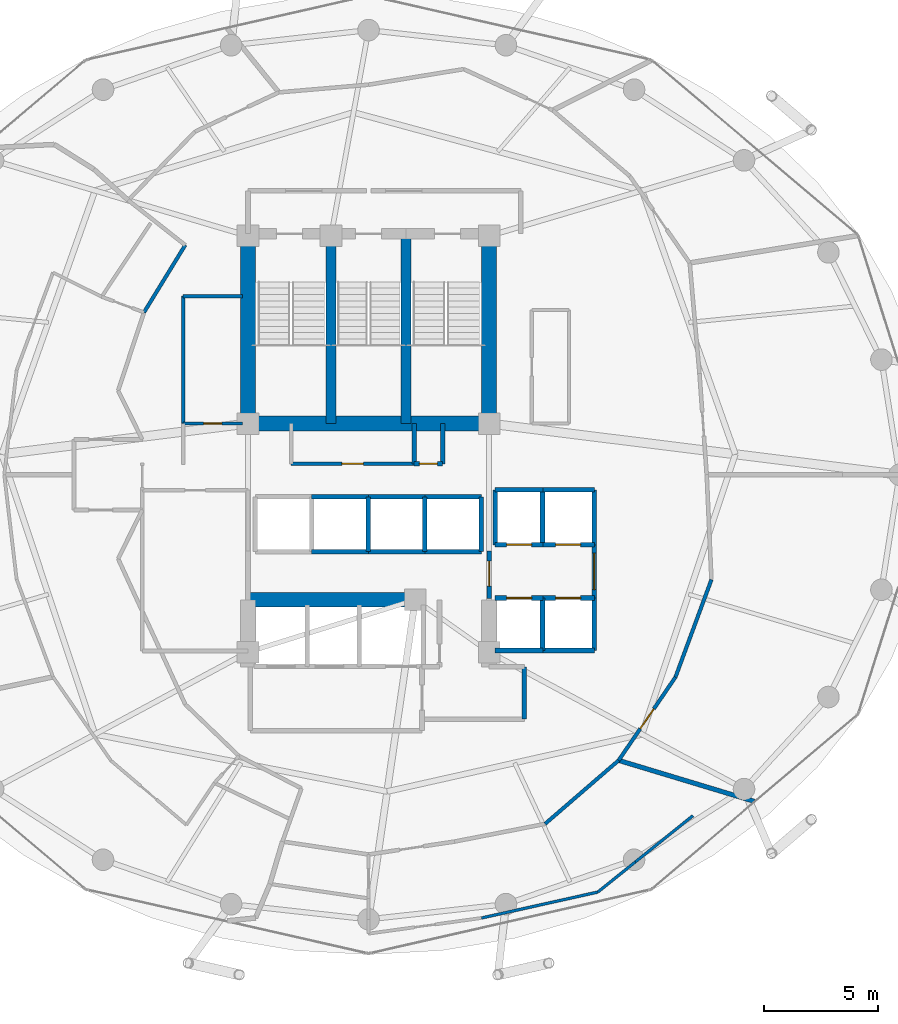
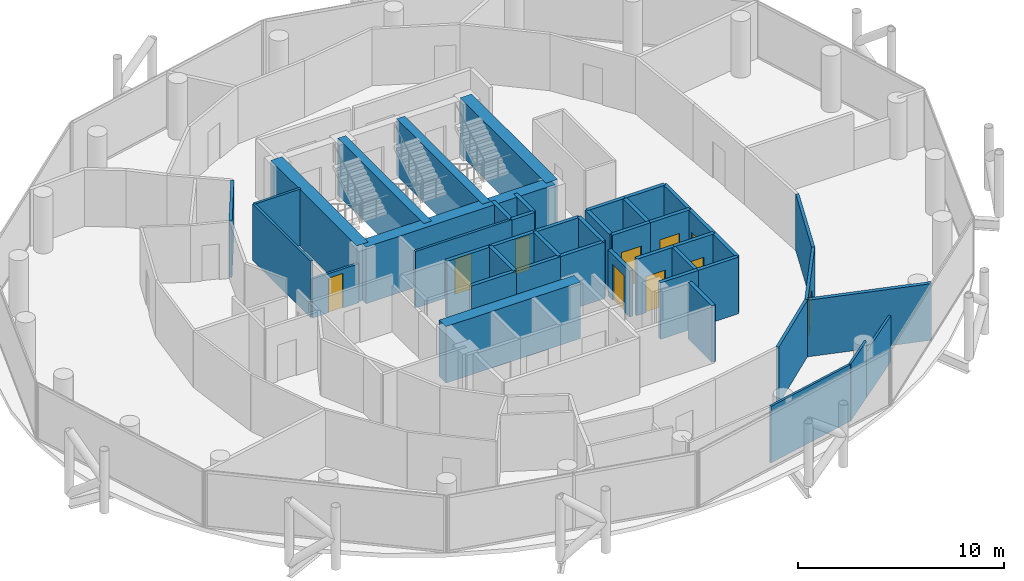
# One storey, part 23 of 26: 46 walls, 10 doors, 10 openings.
"""IFC4 building model written with IfcOpenShell, lengths in metres."""

from ifc_helpers import new_model, si_unit, direction, frame, frame_2d, origin, place, context, subcontext, project, spatial, rectangle, extrude, material, layer, layer_set, type_object, element, fill, save


model = new_model("IFC4")

# Units and contexts
model_context = context("Model", 3, precision=1e-05, world=origin(), true_north=direction((0.0, 1.0)))
body_context = subcontext(model_context, "Body", "Model", "MODEL_VIEW")
ifc_project = project(units=[si_unit("LENGTHUNIT", "METRE"), si_unit("AREAUNIT", "SQUARE_METRE"), si_unit("VOLUMEUNIT", "CUBIC_METRE"), si_unit("PLANEANGLEUNIT", "RADIAN"), si_unit("MASSUNIT", "GRAM", prefix="KILO")], contexts=[model_context])

# Site, building, storey
site_placement = place(None, origin())
site = spatial("IfcSite", under=ifc_project, at=site_placement, CompositionType="ELEMENT")
building_placement = place(site_placement, origin())
building = spatial("IfcBuilding", under=site, at=building_placement, Name="Nuhasar Tower", CompositionType="ELEMENT")
storey_placement = place(building_placement, frame((0.0, 0.0, 192.25)))
storey = spatial("IfcBuildingStorey", under=building, at=storey_placement, Name="L47", CompositionType="ELEMENT", Elevation=192.25)

# Walls
ifc_material_1 = material(Name="Concrete C50/60", Category="concrete")
ifc_layer_1 = layer(ifc_material_1, 0.449951171875)
ifc_layer_set_1 = layer_set([ifc_layer_1], Name="Concrete C50/60")
wall_type_1 = type_object("IfcWallType", Name="WL-CORE-450", PredefinedType="SHEAR", material=ifc_layer_set_1)
for number, where, z_axis, x_axis, name in (
    (1, (37.35009765625, 29.050048828125, 0.0), (0.0, 0.0, 1.0), (0.0, 1.0, 0.0), "L47 Stairwell Shear Wall ST01-E"),
    (2, (40.64990234375, 29.050048828125, 0.0), (0.0, 0.0, 1.0), (0.0, 1.0, 0.0), "L47 Stairwell Shear Wall ST03-E"),
):
    element("IfcWall", number, at=place(storey_placement, frame(where, z_axis=z_axis, x_axis=x_axis)), inside=storey, type_object=wall_type_1, Name=name, PredefinedType="SHEAR", context=body_context, shape_type="SweptSolid", body=[
        extrude(rectangle(XDim=8.349853515625, YDim=0.449951171875, at=frame_2d((4.1748046875, 0.0))), origin(), (0.0, 0.0, 1.0), 3.35009765625),
    ])
ifc_material_2 = material(Name="Concrete C65/80", Category="concrete")
ifc_layer_2 = layer(ifc_material_2, 0.64990234375)
ifc_layer_set_2 = layer_set([ifc_layer_2], Name="Concrete C65/80")
wall_type_2 = type_object("IfcWallType", Name="WL-CORE-650", PredefinedType="SHEAR", material=ifc_layer_set_2)
for number, where, z_axis, x_axis, name in (
    (3, (33.699951171875, 29.050048828125, 0.0), (0.0, 0.0, 1.0), (0.0, 1.0, 0.0), "L47 Core Shear Wall CW-NW CW-650"),
    (4, (44.300048828125, 29.050048828125, 0.0), (0.0, 0.0, 1.0), (0.0, 1.0, 0.0), "L47 Core Shear Wall CW-NE CW-650"),
):
    element("IfcWall", number, at=place(storey_placement, frame(where, z_axis=z_axis, x_axis=x_axis)), inside=storey, type_object=wall_type_2, Name=name, PredefinedType="SHEAR", context=body_context, shape_type="SweptSolid", body=[
        extrude(rectangle(XDim=8.349853515625, YDim=0.64990234375, at=frame_2d((4.1748046875, 0.0))), origin(), (0.0, 0.0, 1.0), 3.35009765625),
    ])
wall_1_placement = place(storey_placement, frame((33.699951171875, 29.050048828125, 0.0), z_axis=(0.0, 0.0, 1.0), x_axis=(1.0, 0.0, 0.0)))
element("IfcWall", 5, at=wall_1_placement, inside=storey, type_object=wall_type_2, Name="L47 Core Shear Wall CW-N1 CW-650", PredefinedType="SHEAR", context=body_context, shape_type="SweptSolid", body=[
    extrude(rectangle(XDim=10.60009765625, YDim=0.64990234375, at=frame_2d((5.300048828125, 0.0))), origin(), (0.0, 0.0, 1.0), 3.35009765625),
])
wall_2_placement = place(storey_placement, frame((33.699951171875, 21.300048828125, 0.0), z_axis=(0.0, 0.0, 1.0), x_axis=(1.0, 0.0, 0.0)))
element("IfcWall", 6, at=wall_2_placement, inside=storey, type_object=wall_type_2, Name="L47 Core Shear Wall CW-S1 CW-650", PredefinedType="SHEAR", context=body_context, shape_type="SweptSolid", body=[
    extrude(rectangle(XDim=7.550048828125, YDim=0.64990234375, at=frame_2d((3.77490234375, 0.0))), origin(), (0.0, 0.0, 1.0), 3.35009765625),
])
ifc_material_3 = material(Name="Gypsum Board", Category="gypsum")
ifc_layer_3 = layer(ifc_material_3, 0.159912109375)
ifc_layer_set_3 = layer_set([ifc_layer_3], Name="Gypsum Board")
wall_type_3 = type_object("IfcWallType", Name="WL-CORR-160", PredefinedType="PARTITIONING", material=ifc_layer_set_3)
wall_3_placement = place(storey_placement, frame((46.760986328125, 11.445068359375, 0.0), z_axis=(0.0, 0.0, 1.0), x_axis=(0.756921867837, 0.653505383291, 0.0)))
element("IfcWall", 7, at=wall_3_placement, inside=storey, type_object=wall_type_3, Name="L47 Interior Partition CORR-40", PredefinedType="PARTITIONING", context=body_context, shape_type="SweptSolid", body=[
    extrude(rectangle(XDim=4.275390625, YDim=0.159912109375, at=frame_2d((2.1376953125, 0.0))), origin(), (0.0, 0.0, 1.0), 3.35009765625),
])

# Wall, opening, door
wall_4_placement = place(storey_placement, frame((52.49609375, 17.89892578125, 0.0), z_axis=(0.0, 0.0, 1.0), x_axis=(-0.563895671103, -0.825846034144, 0.0)))
wall_4 = element("IfcWall", 8, at=wall_4_placement, inside=storey, type_object=wall_type_3, Name="L47 Interior Partition CORR-42", PredefinedType="PARTITIONING", context=body_context, shape_type="SweptSolid", body=[
    extrude(rectangle(XDim=4.431640625, YDim=0.159912109375, at=frame_2d((2.2158203125, 0.0))), origin(), (0.0, 0.0, 1.0), 3.35009765625),
])
opening_1_placement = place(wall_4_placement, frame((1.69091796875, 0.0, 0.0)))
opening_1 = element("IfcOpeningElement", 9, at=opening_1_placement, cuts=wall_4, Name="Opening DU-01", PredefinedType="OPENING", context=body_context, shape_type="SweptSolid", body=[
    extrude(rectangle(XDim=1.050048828125, YDim=2.14990234375, at=frame_2d((0.52490234375, 1.074951171875))), frame((0.0, 0.08984375, 0.0), z_axis=(0.0, -1.0, 0.0), x_axis=(1.0, 0.0, 0.0)), (0.0, 0.0, 1.0), 0.179931640625),
])
ifc_material_4 = material(Name="Timber Oak", Category="wood")
door_type_1 = type_object("IfcDoorType", Name="DR-SUITE-FD60-1050", OperationType="NOTDEFINED", PredefinedType="DOOR", material=ifc_material_4)
door_1_placement = place(opening_1_placement, origin())
door_1 = element("IfcDoor", 10, at=door_1_placement, inside=storey, type_object=door_type_1, Name="L47 Royal Sky Majlis Lounge Entrance Door", OperationType="SINGLE_SWING_RIGHT", OverallHeight=2.14990234375, OverallWidth=1.050048828125, PredefinedType="DOOR", context=body_context, shape_type="SweptSolid", body=[
    extrude(rectangle(XDim=1.050048828125, YDim=2.14990234375, at=frame_2d((0.52490234375, 1.074951171875))), frame((0.0, 0.02490234375, 0.0), z_axis=(0.0, -1.0, 0.0), x_axis=(1.0, 0.0, 0.0)), (0.0, 0.0, 1.0), 0.050048828125),
])
fill(opening_1, door_1)

# Walls
wall_5_placement = place(storey_placement, frame((52.49609375, 17.89892578125, 0.0), z_axis=(0.0, 0.0, 1.0), x_axis=(0.346222869932, 0.93815229272, 0.0)))
element("IfcWall", 11, at=wall_5_placement, inside=storey, type_object=wall_type_3, Name="L47 Interior Partition CORR-44", PredefinedType="PARTITIONING", context=body_context, shape_type="SweptSolid", body=[
    extrude(rectangle(XDim=4.568603515625, YDim=0.159912109375, at=frame_2d((2.2841796875, 0.0))), origin(), (0.0, 0.0, 1.0), 3.35009765625),
])
wall_6_placement = place(storey_placement, frame((30.93896484375, 36.89697265625, 0.0), z_axis=(0.0, 0.0, 1.0), x_axis=(-0.522486120877, -0.852647789823, 0.0)))
element("IfcWall", 12, at=wall_6_placement, inside=storey, type_object=wall_type_3, Name="L47 Interior Partition HWEST-CORE-N-18", PredefinedType="PARTITIONING", context=body_context, shape_type="SweptSolid", body=[
    extrude(rectangle(XDim=3.468017578125, YDim=0.159912109375, at=frame_2d((1.73388671875, 0.0))), origin(), (0.0, 0.0, 1.0), 3.35009765625),
])

# Wall, opening, door
ifc_material_5 = material(Name="Concrete C45/55", Category="concrete")
ifc_layer_4 = layer(ifc_material_5, 0.199951171875)
ifc_layer_set_4 = layer_set([ifc_layer_4], Name="Concrete C45/55")
wall_type_4 = type_object("IfcWallType", Name="WL-LOBBY-200", PredefinedType="SOLIDWALL", material=ifc_layer_set_4)
wall_7_placement = place(storey_placement, frame((48.929931640625, 21.3798828125, 0.0), z_axis=(0.0, 0.0, 1.0), x_axis=(0.0, 1.0, 0.0)))
wall_7 = element("IfcWall", 13, at=wall_7_placement, inside=storey, type_object=wall_type_4, Name="L47 Interior Partition LLBM-E", PredefinedType="SOLIDWALL", context=body_context, shape_type="SweptSolid", body=[
    extrude(rectangle(XDim=2.340087890625, YDim=0.199951171875, at=frame_2d((1.169921875, 0.0))), origin(), (0.0, 0.0, 1.0), 3.35009765625),
])
opening_2_placement = place(wall_7_placement, frame((0.3701171875, 0.0, 0.0)))
opening_2 = element("IfcOpeningElement", 14, at=opening_2_placement, cuts=wall_7, Name="Opening DC-01", PredefinedType="OPENING", context=body_context, shape_type="SweptSolid", body=[
    extrude(rectangle(XDim=1.60009765625, YDim=2.199951171875, at=frame_2d((0.800048828125, 1.10009765625))), frame((0.0, 0.10986328125, 0.0), z_axis=(0.0, -1.0, 0.0), x_axis=(1.0, 0.0, 0.0)), (0.0, 0.0, 1.0), 0.219970703125),
])
ifc_material_6 = material(Name="Steel S355", Category="steel")
door_type_2 = type_object("IfcDoorType", Name="DR-CORR-FD60-1600", OperationType="DOUBLE_DOOR_SINGLE_SWING", PredefinedType="DOOR", material=ifc_material_6)
door_2_placement = place(opening_2_placement, origin())
door_2 = element("IfcDoor", 15, at=door_2_placement, inside=storey, type_object=door_type_2, Name="L47 Mid-Rise Lift Lobby East Entry", OperationType="DOUBLE_DOOR_SINGLE_SWING", OverallHeight=2.199951171875, OverallWidth=1.60009765625, PredefinedType="DOOR", context=body_context, shape_type="SweptSolid", body=[
    extrude(rectangle(XDim=1.60009765625, YDim=2.199951171875, at=frame_2d((0.800048828125, 1.10009765625))), frame((0.0, 0.02490234375, 0.0), z_axis=(0.0, -1.0, 0.0), x_axis=(1.0, 0.0, 0.0)), (0.0, 0.0, 1.0), 0.050048828125),
])
fill(opening_2, door_2)

wall_8_placement = place(storey_placement, frame((44.300048828125, 21.35009765625, 0.0), z_axis=(0.0, 0.0, 1.0), x_axis=(0.0, 1.0, 0.0)))
wall_8 = element("IfcWall", 16, at=wall_8_placement, inside=storey, type_object=wall_type_4, Name="L47 Interior Partition LLBH-E", PredefinedType="SOLIDWALL", context=body_context, shape_type="SweptSolid", body=[
    extrude(rectangle(XDim=2.099853515625, YDim=0.199951171875, at=frame_2d((1.0498046875, 0.0))), origin(), (0.0, 0.0, 1.0), 2.735107421875),
])
opening_3_placement = place(wall_8_placement, frame((0.550048828125, 0.0, 0.0)))
opening_3 = element("IfcOpeningElement", 17, at=opening_3_placement, cuts=wall_8, Name="Opening DS-02", PredefinedType="OPENING", context=body_context, shape_type="SweptSolid", body=[
    extrude(rectangle(XDim=1.10009765625, YDim=2.14990234375, at=frame_2d((0.550048828125, 1.074951171875))), frame((0.0, 0.10986328125, 0.0), z_axis=(0.0, -1.0, 0.0), x_axis=(1.0, 0.0, 0.0)), (0.0, 0.0, 1.0), 0.219970703125),
])
door_type_3 = type_object("IfcDoorType", Name="DR-FFL-FD120-1100", OperationType="NOTDEFINED", PredefinedType="DOOR", material=ifc_material_6)
door_3_placement = place(opening_3_placement, origin())
door_3 = element("IfcDoor", 18, at=door_3_placement, inside=storey, type_object=door_type_3, Name="L47 High-Rise Lobby East Door", OperationType="SINGLE_SWING_RIGHT", OverallHeight=2.14990234375, OverallWidth=1.10009765625, PredefinedType="DOOR", context=body_context, shape_type="SweptSolid", body=[
    extrude(rectangle(XDim=1.10009765625, YDim=2.14990234375, at=frame_2d((0.550048828125, 1.074951171875))), frame((0.0, 0.02490234375, 0.0), z_axis=(0.0, -1.0, 0.0), x_axis=(1.0, 0.0, 0.0)), (0.0, 0.0, 1.0), 0.050048828125),
])
fill(opening_3, door_3)

# Walls
wall_9_placement = place(storey_placement, frame((45.85009765625, 16.050048828125, 0.0), z_axis=(0.0, 0.0, 1.0), x_axis=(0.0, 1.0, 0.0)))
element("IfcWall", 19, at=wall_9_placement, inside=storey, type_object=wall_type_4, Name="L47 Interior Partition SVLV-E", PredefinedType="SOLIDWALL", context=body_context, shape_type="SweptSolid", body=[
    extrude(rectangle(XDim=2.300048828125, YDim=0.199951171875, at=frame_2d((1.14990234375, 0.0))), origin(), (0.0, 0.0, 1.0), 3.35009765625),
])
ifc_layer_5 = layer(ifc_material_3, 0.125)
ifc_layer_set_5 = layer_set([ifc_layer_5], Name="Gypsum Board")
wall_type_5 = type_object("IfcWallType", Name="WL-PART-125", PredefinedType="PARTITIONING", material=ifc_layer_set_5)
wall_10_placement = place(storey_placement, frame((43.968994140625, 7.30810546875, 0.0), z_axis=(0.0, 0.0, 1.0), x_axis=(0.976029965956, 0.21763617704, 0.0)))
element("IfcWall", 20, at=wall_10_placement, inside=storey, type_object=wall_type_5, Name="L47 Interior Partition HSAL-01-38", PredefinedType="PARTITIONING", context=body_context, shape_type="SweptSolid", body=[
    extrude(rectangle(XDim=5.237548828125, YDim=0.125, at=frame_2d((2.61865234375, 0.0))), origin(), (0.0, 0.0, 1.0), 3.35009765625),
])
wall_11_placement = place(storey_placement, frame((49.0810546875, 8.447998046875, 0.0), z_axis=(0.0, 0.0, 1.0), x_axis=(0.779800892582, 0.626027609558, 0.0)))
element("IfcWall", 21, at=wall_11_placement, inside=storey, type_object=wall_type_5, Name="L47 Interior Partition HSAL-01-40", PredefinedType="PARTITIONING", context=body_context, shape_type="SweptSolid", body=[
    extrude(rectangle(XDim=2.12109375, YDim=0.125, at=frame_2d((1.060546875, 0.0))), origin(), (0.0, 0.0, 1.0), 3.35009765625),
])
wall_12_placement = place(storey_placement, frame((50.735107421875, 9.77587890625, 0.0), z_axis=(0.0, 0.0, 1.0), x_axis=(0.779788382675, 0.626043191997, 0.0)))
element("IfcWall", 22, at=wall_12_placement, inside=storey, type_object=wall_type_5, Name="L47 Interior Partition HSAL-01-40", PredefinedType="PARTITIONING", context=body_context, shape_type="SweptSolid", body=[
    extrude(rectangle(XDim=3.244140625, YDim=0.125, at=frame_2d((1.6220703125, 0.0))), origin(), (0.0, 0.0, 1.0), 2.72998046875),
])
ifc_layer_6 = layer(ifc_material_5, 0.199951171875)
ifc_layer_set_6 = layer_set([ifc_layer_6], Name="Concrete C45/55")
wall_type_6 = type_object("IfcWallType", Name="WL-SHAFT-200", PredefinedType="SOLIDWALL", material=ifc_layer_set_6)
for number, where, z_axis, x_axis, name in (
    (23, (41.0, 27.280029296875, 0.0), (0.0, 0.0, 1.0), (0.0, 1.0, 0.0), "L47 Interior Partition RSRN-W"),
    (24, (42.260009765625, 27.280029296875, 0.0), (0.0, 0.0, 1.0), (0.0, 1.0, 0.0), "L47 Interior Partition RSRN-E"),
):
    element("IfcWall", number, at=place(storey_placement, frame(where, z_axis=z_axis, x_axis=x_axis)), inside=storey, type_object=wall_type_6, Name=name, PredefinedType="SOLIDWALL", context=body_context, shape_type="SweptSolid", body=[
        extrude(rectangle(XDim=1.77001953125, YDim=0.199951171875, at=frame_2d((0.885009765625, 0.0))), origin(), (0.0, 0.0, 1.0), 3.35009765625),
    ])

# Wall, opening, door
wall_13_placement = place(storey_placement, frame((41.0, 27.280029296875, 0.0), z_axis=(0.0, 0.0, 1.0), x_axis=(1.0, 0.0, 0.0)))
wall_13 = element("IfcWall", 25, at=wall_13_placement, inside=storey, type_object=wall_type_6, Name="L47 Interior Partition RSRN-S", PredefinedType="SOLIDWALL", context=body_context, shape_type="SweptSolid", body=[
    extrude(rectangle(XDim=1.260009765625, YDim=0.199951171875, at=frame_2d((0.6298828125, 0.0))), origin(), (0.0, 0.0, 1.0), 3.35009765625),
])
opening_4_placement = place(wall_13_placement, frame((0.22998046875, 0.0, 0.0)))
opening_4 = element("IfcOpeningElement", 26, at=opening_4_placement, cuts=wall_13, Name="Opening DM-01", PredefinedType="OPENING", context=body_context, shape_type="SweptSolid", body=[
    extrude(rectangle(XDim=0.800048828125, YDim=2.050048828125, at=frame_2d((0.39990234375, 1.02490234375))), frame((0.0, 0.10986328125, 0.0), z_axis=(0.0, -1.0, 0.0), x_axis=(1.0, 0.0, 0.0)), (0.0, 0.0, 1.0), 0.219970703125),
])
door_type_4 = type_object("IfcDoorType", Name="DR-RISER-FD60-800", OperationType="NOTDEFINED", PredefinedType="DOOR", material=ifc_material_6)
door_4_placement = place(opening_4_placement, origin())
door_4 = element("IfcDoor", 27, at=door_4_placement, inside=storey, type_object=door_type_4, Name="L47 North Smoke Riser Door", OperationType="SINGLE_SWING_RIGHT", OverallHeight=2.050048828125, OverallWidth=0.800048828125, PredefinedType="DOOR", context=body_context, shape_type="SweptSolid", body=[
    extrude(rectangle(XDim=0.800048828125, YDim=2.050048828125, at=frame_2d((0.39990234375, 1.02490234375))), frame((0.0, 0.02490234375, 0.0), z_axis=(0.0, -1.0, 0.0), x_axis=(1.0, 0.0, 0.0)), (0.0, 0.0, 1.0), 0.050048828125),
])
fill(opening_4, door_4)

wall_14_placement = place(storey_placement, frame((44.570068359375, 23.719970703125, 0.0), z_axis=(0.0, 0.0, 1.0), x_axis=(1.0, 0.0, 0.0)))
wall_14 = element("IfcWall", 28, at=wall_14_placement, inside=storey, type_object=wall_type_6, Name="L47 Interior Partition SHF-PL-M01-S", PredefinedType="SOLIDWALL", context=body_context, shape_type="SweptSolid", body=[
    extrude(rectangle(XDim=2.10986328125, YDim=0.199951171875, at=frame_2d((1.054931640625, 0.0))), origin(), (0.0, 0.0, 1.0), 3.35009765625),
])
opening_5_placement = place(wall_14_placement, frame((0.5048828125, 0.0, 0.0)))
opening_5 = element("IfcOpeningElement", 29, at=opening_5_placement, cuts=wall_14, Name="Opening LD-M01", PredefinedType="OPENING", context=body_context, shape_type="SweptSolid", body=[
    extrude(rectangle(XDim=1.10009765625, YDim=2.14990234375, at=frame_2d((0.550048828125, 1.074951171875))), frame((0.0, 0.10986328125, 0.0), z_axis=(0.0, -1.0, 0.0), x_axis=(1.0, 0.0, 0.0)), (0.0, 0.0, 1.0), 0.219970703125),
])
ifc_material_7 = material(Name="Stainless Steel 316L", Category="steel")
door_type_5 = type_object("IfcDoorType", Name="LD-PAX-1100", OperationType="DOUBLE_DOOR_SLIDING", PredefinedType="DOOR", material=ifc_material_7)
door_5_placement = place(opening_5_placement, origin())
door_5 = element("IfcDoor", 30, at=door_5_placement, inside=storey, type_object=door_type_5, Name="L47 Lift Landing Door PL-M01", OperationType="DOUBLE_DOOR_SLIDING", OverallHeight=2.14990234375, OverallWidth=1.10009765625, PredefinedType="DOOR", context=body_context, shape_type="SweptSolid", body=[
    extrude(rectangle(XDim=1.10009765625, YDim=2.14990234375, at=frame_2d((0.550048828125, 1.074951171875))), frame((0.0, 0.02490234375, 0.0), z_axis=(0.0, -1.0, 0.0), x_axis=(1.0, 0.0, 0.0)), (0.0, 0.0, 1.0), 0.050048828125),
])
fill(opening_5, door_5)

# Walls
wall_15_placement = place(storey_placement, frame((44.570068359375, 26.1298828125, 0.0), z_axis=(0.0, 0.0, 1.0), x_axis=(1.0, 0.0, 0.0)))
element("IfcWall", 31, at=wall_15_placement, inside=storey, type_object=wall_type_6, Name="L47 Interior Partition SHF-PL-M01-N", PredefinedType="SOLIDWALL", context=body_context, shape_type="SweptSolid", body=[
    extrude(rectangle(XDim=2.10986328125, YDim=0.199951171875, at=frame_2d((1.054931640625, 0.0))), origin(), (0.0, 0.0, 1.0), 3.35009765625),
])
for number, where, z_axis, x_axis, name in (
    (32, (44.570068359375, 23.719970703125, 0.0), (0.0, 0.0, 1.0), (0.0, 1.0, 0.0), "L47 Interior Partition SHF-PL-M01-W"),
    (33, (46.64990234375, 23.719970703125, 0.0), (0.0, 0.0, 1.0), (0.0, 1.0, 0.0), "L47 Interior Partition SHF-PL-M01-E"),
):
    element("IfcWall", number, at=place(storey_placement, frame(where, z_axis=z_axis, x_axis=x_axis)), inside=storey, type_object=wall_type_6, Name=name, PredefinedType="SOLIDWALL", context=body_context, shape_type="SweptSolid", body=[
        extrude(rectangle(XDim=2.409912109375, YDim=0.199951171875, at=frame_2d((1.205078125, 0.0))), origin(), (0.0, 0.0, 1.0), 3.35009765625),
    ])

# Wall, opening, door
wall_16_placement = place(storey_placement, frame((46.6201171875, 23.719970703125, 0.0), z_axis=(0.0, 0.0, 1.0), x_axis=(1.0, 0.0, 0.0)))
wall_16 = element("IfcWall", 34, at=wall_16_placement, inside=storey, type_object=wall_type_6, Name="L47 Interior Partition SHF-PL-M02-S", PredefinedType="SOLIDWALL", context=body_context, shape_type="SweptSolid", body=[
    extrude(rectangle(XDim=2.309814453125, YDim=0.199951171875, at=frame_2d((1.15478515625, 0.0))), origin(), (0.0, 0.0, 1.0), 3.35009765625),
])
opening_6_placement = place(wall_16_placement, frame((0.60498046875, 0.0, 0.0)))
opening_6 = element("IfcOpeningElement", 35, at=opening_6_placement, cuts=wall_16, Name="Opening LD-M02", PredefinedType="OPENING", context=body_context, shape_type="SweptSolid", body=[
    extrude(rectangle(XDim=1.10009765625, YDim=2.14990234375, at=frame_2d((0.550048828125, 1.074951171875))), frame((0.0, 0.10986328125, 0.0), z_axis=(0.0, -1.0, 0.0), x_axis=(1.0, 0.0, 0.0)), (0.0, 0.0, 1.0), 0.219970703125),
])
door_6_placement = place(opening_6_placement, origin())
door_6 = element("IfcDoor", 36, at=door_6_placement, inside=storey, type_object=door_type_5, Name="L47 Lift Landing Door PL-M02", OperationType="DOUBLE_DOOR_SLIDING", OverallHeight=2.14990234375, OverallWidth=1.10009765625, PredefinedType="DOOR", context=body_context, shape_type="SweptSolid", body=[
    extrude(rectangle(XDim=1.10009765625, YDim=2.14990234375, at=frame_2d((0.550048828125, 1.074951171875))), frame((0.0, 0.02490234375, 0.0), z_axis=(0.0, -1.0, 0.0), x_axis=(1.0, 0.0, 0.0)), (0.0, 0.0, 1.0), 0.050048828125),
])
fill(opening_6, door_6)

# Walls
wall_17_placement = place(storey_placement, frame((46.6201171875, 26.1298828125, 0.0), z_axis=(0.0, 0.0, 1.0), x_axis=(1.0, 0.0, 0.0)))
element("IfcWall", 37, at=wall_17_placement, inside=storey, type_object=wall_type_6, Name="L47 Interior Partition SHF-PL-M02-N", PredefinedType="SOLIDWALL", context=body_context, shape_type="SweptSolid", body=[
    extrude(rectangle(XDim=2.309814453125, YDim=0.199951171875, at=frame_2d((1.15478515625, 0.0))), origin(), (0.0, 0.0, 1.0), 3.35009765625),
])
wall_18_placement = place(storey_placement, frame((48.929931640625, 23.719970703125, 0.0), z_axis=(0.0, 0.0, 1.0), x_axis=(0.0, 1.0, 0.0)))
element("IfcWall", 38, at=wall_18_placement, inside=storey, type_object=wall_type_6, Name="L47 Interior Partition SHF-PL-M02-E", PredefinedType="SOLIDWALL", context=body_context, shape_type="SweptSolid", body=[
    extrude(rectangle(XDim=2.409912109375, YDim=0.199951171875, at=frame_2d((1.205078125, 0.0))), origin(), (0.0, 0.0, 1.0), 3.35009765625),
])
wall_19_placement = place(storey_placement, frame((44.570068359375, 19.070068359375, 0.0), z_axis=(0.0, 0.0, 1.0), x_axis=(1.0, 0.0, 0.0)))
element("IfcWall", 39, at=wall_19_placement, inside=storey, type_object=wall_type_6, Name="L47 Interior Partition SHF-PL-M03-S", PredefinedType="SOLIDWALL", context=body_context, shape_type="SweptSolid", body=[
    extrude(rectangle(XDim=2.10986328125, YDim=0.199951171875, at=frame_2d((1.054931640625, 0.0))), origin(), (0.0, 0.0, 1.0), 3.35009765625),
])

# Wall, opening, door
wall_20_placement = place(storey_placement, frame((44.570068359375, 21.3798828125, 0.0), z_axis=(0.0, 0.0, 1.0), x_axis=(1.0, 0.0, 0.0)))
wall_20 = element("IfcWall", 40, at=wall_20_placement, inside=storey, type_object=wall_type_6, Name="L47 Interior Partition SHF-PL-M03-N", PredefinedType="SOLIDWALL", context=body_context, shape_type="SweptSolid", body=[
    extrude(rectangle(XDim=2.10986328125, YDim=0.199951171875, at=frame_2d((1.054931640625, 0.0))), origin(), (0.0, 0.0, 1.0), 3.35009765625),
])
opening_7_placement = place(wall_20_placement, frame((0.5048828125, 0.0, 0.0)))
opening_7 = element("IfcOpeningElement", 41, at=opening_7_placement, cuts=wall_20, Name="Opening LD-M03", PredefinedType="OPENING", context=body_context, shape_type="SweptSolid", body=[
    extrude(rectangle(XDim=1.10009765625, YDim=2.14990234375, at=frame_2d((0.550048828125, 1.074951171875))), frame((0.0, 0.10986328125, 0.0), z_axis=(0.0, -1.0, 0.0), x_axis=(1.0, 0.0, 0.0)), (0.0, 0.0, 1.0), 0.219970703125),
])
door_7_placement = place(opening_7_placement, origin())
door_7 = element("IfcDoor", 42, at=door_7_placement, inside=storey, type_object=door_type_5, Name="L47 Lift Landing Door PL-M03", OperationType="DOUBLE_DOOR_SLIDING", OverallHeight=2.14990234375, OverallWidth=1.10009765625, PredefinedType="DOOR", context=body_context, shape_type="SweptSolid", body=[
    extrude(rectangle(XDim=1.10009765625, YDim=2.14990234375, at=frame_2d((0.550048828125, 1.074951171875))), frame((0.0, 0.02490234375, 0.0), z_axis=(0.0, -1.0, 0.0), x_axis=(1.0, 0.0, 0.0)), (0.0, 0.0, 1.0), 0.050048828125),
])
fill(opening_7, door_7)

# Walls
for number, where, z_axis, x_axis, name in (
    (43, (46.64990234375, 19.070068359375, 0.0), (0.0, 0.0, 1.0), (0.0, 1.0, 0.0), "L47 Interior Partition SHF-PL-M03-E"),
    (44, (46.6201171875, 19.070068359375, 0.0), (0.0, 0.0, 1.0), (1.0, 0.0, 0.0), "L47 Interior Partition SHF-PL-M04-S"),
):
    element("IfcWall", number, at=place(storey_placement, frame(where, z_axis=z_axis, x_axis=x_axis)), inside=storey, type_object=wall_type_6, Name=name, PredefinedType="SOLIDWALL", context=body_context, shape_type="SweptSolid", body=[
        extrude(rectangle(XDim=2.309814453125, YDim=0.199951171875, at=frame_2d((1.15478515625, 0.0))), origin(), (0.0, 0.0, 1.0), 3.35009765625),
    ])

# Wall, opening, door
wall_21_placement = place(storey_placement, frame((46.6201171875, 21.3798828125, 0.0), z_axis=(0.0, 0.0, 1.0), x_axis=(1.0, 0.0, 0.0)))
wall_21 = element("IfcWall", 45, at=wall_21_placement, inside=storey, type_object=wall_type_6, Name="L47 Interior Partition SHF-PL-M04-N", PredefinedType="SOLIDWALL", context=body_context, shape_type="SweptSolid", body=[
    extrude(rectangle(XDim=2.309814453125, YDim=0.199951171875, at=frame_2d((1.15478515625, 0.0))), origin(), (0.0, 0.0, 1.0), 3.35009765625),
])
opening_8_placement = place(wall_21_placement, frame((0.60498046875, 0.0, 0.0)))
opening_8 = element("IfcOpeningElement", 46, at=opening_8_placement, cuts=wall_21, Name="Opening LD-M04", PredefinedType="OPENING", context=body_context, shape_type="SweptSolid", body=[
    extrude(rectangle(XDim=1.10009765625, YDim=2.14990234375, at=frame_2d((0.550048828125, 1.074951171875))), frame((0.0, 0.10986328125, 0.0), z_axis=(0.0, -1.0, 0.0), x_axis=(1.0, 0.0, 0.0)), (0.0, 0.0, 1.0), 0.219970703125),
])
door_8_placement = place(opening_8_placement, origin())
door_8 = element("IfcDoor", 47, at=door_8_placement, inside=storey, type_object=door_type_5, Name="L47 Lift Landing Door PL-M04", OperationType="DOUBLE_DOOR_SLIDING", OverallHeight=2.14990234375, OverallWidth=1.10009765625, PredefinedType="DOOR", context=body_context, shape_type="SweptSolid", body=[
    extrude(rectangle(XDim=1.10009765625, YDim=2.14990234375, at=frame_2d((0.550048828125, 1.074951171875))), frame((0.0, 0.02490234375, 0.0), z_axis=(0.0, -1.0, 0.0), x_axis=(1.0, 0.0, 0.0)), (0.0, 0.0, 1.0), 0.050048828125),
])
fill(opening_8, door_8)

# Walls
wall_22_placement = place(storey_placement, frame((48.929931640625, 19.070068359375, 0.0), z_axis=(0.0, 0.0, 1.0), x_axis=(0.0, 1.0, 0.0)))
element("IfcWall", 48, at=wall_22_placement, inside=storey, type_object=wall_type_6, Name="L47 Interior Partition SHF-PL-M04-E", PredefinedType="SOLIDWALL", context=body_context, shape_type="SweptSolid", body=[
    extrude(rectangle(XDim=2.309814453125, YDim=0.199951171875, at=frame_2d((1.15478515625, 0.0))), origin(), (0.0, 0.0, 1.0), 3.35009765625),
])
for number, where, z_axis, x_axis, name in (
    (49, (36.5, 23.419921875, 0.0), (0.0, 0.0, 1.0), (1.0, 0.0, 0.0), "L47 Interior Partition SHF-PL-H02-S"),
    (50, (36.5, 25.830078125, 0.0), (0.0, 0.0, 1.0), (1.0, 0.0, 0.0), "L47 Interior Partition SHF-PL-H02-N"),
):
    element("IfcWall", number, at=place(storey_placement, frame(where, z_axis=z_axis, x_axis=x_axis)), inside=storey, type_object=wall_type_6, Name=name, PredefinedType="SOLIDWALL", context=body_context, shape_type="SweptSolid", body=[
        extrude(rectangle(XDim=2.5, YDim=0.199951171875, at=frame_2d((1.25, 0.0))), origin(), (0.0, 0.0, 1.0), 3.35009765625),
    ])
wall_23_placement = place(storey_placement, frame((38.989990234375, 23.419921875, 0.0), z_axis=(0.0, 0.0, 1.0), x_axis=(0.0, 1.0, 0.0)))
element("IfcWall", 51, at=wall_23_placement, inside=storey, type_object=wall_type_6, Name="L47 Interior Partition SHF-PL-H02-E", PredefinedType="SOLIDWALL", context=body_context, shape_type="SweptSolid", body=[
    extrude(rectangle(XDim=2.41015625, YDim=0.199951171875, at=frame_2d((1.205078125, 0.0))), origin(), (0.0, 0.0, 1.0), 3.35009765625),
])
for number, where, z_axis, x_axis, name in (
    (52, (38.97998046875, 23.419921875, 0.0), (0.0, 0.0, 1.0), (1.0, 0.0, 0.0), "L47 Interior Partition SHF-PL-H03-S"),
    (53, (38.97998046875, 25.830078125, 0.0), (0.0, 0.0, 1.0), (1.0, 0.0, 0.0), "L47 Interior Partition SHF-PL-H03-N"),
):
    element("IfcWall", number, at=place(storey_placement, frame(where, z_axis=z_axis, x_axis=x_axis)), inside=storey, type_object=wall_type_6, Name=name, PredefinedType="SOLIDWALL", context=body_context, shape_type="SweptSolid", body=[
        extrude(rectangle(XDim=2.5, YDim=0.199951171875, at=frame_2d((1.25, 0.0))), origin(), (0.0, 0.0, 1.0), 3.35009765625),
    ])
wall_24_placement = place(storey_placement, frame((41.469970703125, 23.419921875, 0.0), z_axis=(0.0, 0.0, 1.0), x_axis=(0.0, 1.0, 0.0)))
element("IfcWall", 54, at=wall_24_placement, inside=storey, type_object=wall_type_6, Name="L47 Interior Partition SHF-PL-H03-E", PredefinedType="SOLIDWALL", context=body_context, shape_type="SweptSolid", body=[
    extrude(rectangle(XDim=2.41015625, YDim=0.199951171875, at=frame_2d((1.205078125, 0.0))), origin(), (0.0, 0.0, 1.0), 3.35009765625),
])
for number, where, z_axis, x_axis, name in (
    (55, (41.4599609375, 23.419921875, 0.0), (0.0, 0.0, 1.0), (1.0, 0.0, 0.0), "L47 Interior Partition SHF-PL-H04-S"),
    (56, (41.4599609375, 25.830078125, 0.0), (0.0, 0.0, 1.0), (1.0, 0.0, 0.0), "L47 Interior Partition SHF-PL-H04-N"),
):
    element("IfcWall", number, at=place(storey_placement, frame(where, z_axis=z_axis, x_axis=x_axis)), inside=storey, type_object=wall_type_6, Name=name, PredefinedType="SOLIDWALL", context=body_context, shape_type="SweptSolid", body=[
        extrude(rectangle(XDim=2.5, YDim=0.199951171875, at=frame_2d((1.25, 0.0))), origin(), (0.0, 0.0, 1.0), 3.35009765625),
    ])
wall_25_placement = place(storey_placement, frame((43.9599609375, 23.419921875, 0.0), z_axis=(0.0, 0.0, 1.0), x_axis=(0.0, 1.0, 0.0)))
element("IfcWall", 57, at=wall_25_placement, inside=storey, type_object=wall_type_6, Name="L47 Interior Partition SHF-PL-H04-E", PredefinedType="SOLIDWALL", context=body_context, shape_type="SweptSolid", body=[
    extrude(rectangle(XDim=2.41015625, YDim=0.199951171875, at=frame_2d((1.205078125, 0.0))), origin(), (0.0, 0.0, 1.0), 3.35009765625),
])
ifc_material_8 = material(Name="Concrete C40/50 precast", Category="concrete")
ifc_layer_7 = layer(ifc_material_8, 0.199951171875)
ifc_layer_set_7 = layer_set([ifc_layer_7], Name="Concrete C40/50 precast")
wall_type_7 = type_object("IfcWallType", Name="WL-UNIT-200", PredefinedType="PARTITIONING", material=ifc_layer_set_7)
wall_26_placement = place(storey_placement, frame((49.9970703125, 14.239013671875, 0.0), z_axis=(0.0, 0.0, 1.0), x_axis=(0.957278355307, -0.289168031534, 0.0)))
element("IfcWall", 58, at=wall_26_placement, inside=storey, type_object=wall_type_7, Name="L47 Interior Partition HRAD-42", PredefinedType="PARTITIONING", context=body_context, shape_type="SweptSolid", body=[
    extrude(rectangle(XDim=6.224853515625, YDim=0.199951171875, at=frame_2d((3.1123046875, 0.0))), origin(), (0.0, 0.0, 1.0), 3.35009765625),
])

# Wall, opening, door
ifc_layer_8 = layer(ifc_material_8, 0.139892578125)
ifc_layer_set_8 = layer_set([ifc_layer_8], Name="Concrete C40/50 precast")
wall_type_8 = type_object("IfcWallType", Name="WL-WET-140", PredefinedType="PARTITIONING", material=ifc_layer_set_8)
wall_27_placement = place(storey_placement, frame((35.60009765625, 27.280029296875, 0.0), z_axis=(0.0, 0.0, 1.0), x_axis=(1.0, 0.0, 0.0)))
wall_27 = element("IfcWall", 59, at=wall_27_placement, inside=storey, type_object=wall_type_8, Name="L47 Interior Partition CSVC-S", PredefinedType="PARTITIONING", context=body_context, shape_type="SweptSolid", body=[
    extrude(rectangle(XDim=5.39990234375, YDim=0.139892578125, at=frame_2d((2.699951171875, 0.0))), origin(), (0.0, 0.0, 1.0), 3.35009765625),
])
opening_9_placement = place(wall_27_placement, frame((2.22509765625, 0.0, 0.0)))
opening_9 = element("IfcOpeningElement", 60, at=opening_9_placement, cuts=wall_27, Name="Opening DA-01", PredefinedType="OPENING", context=body_context, shape_type="SweptSolid", body=[
    extrude(rectangle(XDim=0.949951171875, YDim=2.10009765625, at=frame_2d((0.47509765625, 1.050048828125))), frame((0.0, 0.080078125, 0.0), z_axis=(0.0, -1.0, 0.0), x_axis=(1.0, 0.0, 0.0)), (0.0, 0.0, 1.0), 0.159912109375),
])
door_type_6 = type_object("IfcDoorType", Name="DR-ACCWC-950", OperationType="NOTDEFINED", PredefinedType="DOOR", material=ifc_material_4)
door_9_placement = place(opening_9_placement, origin())
door_9 = element("IfcDoor", 61, at=door_9_placement, inside=storey, type_object=door_type_6, Name="L47 Core Accessible Restroom Door", OperationType="SINGLE_SWING_LEFT", OverallHeight=2.10009765625, OverallWidth=0.949951171875, PredefinedType="DOOR", context=body_context, shape_type="SweptSolid", body=[
    extrude(rectangle(XDim=0.949951171875, YDim=2.10009765625, at=frame_2d((0.47509765625, 1.050048828125))), frame((0.0, 0.02490234375, 0.0), z_axis=(0.0, -1.0, 0.0), x_axis=(1.0, 0.0, 0.0)), (0.0, 0.0, 1.0), 0.050048828125),
])
fill(opening_9, door_9)

wall_28_placement = place(storey_placement, frame((30.85009765625, 29.050048828125, 0.0), z_axis=(0.0, 0.0, 1.0), x_axis=(1.0, 0.0, 0.0)))
wall_28 = element("IfcWall", 62, at=wall_28_placement, inside=storey, type_object=wall_type_8, Name="L47 Interior Partition K3-NW-S", PredefinedType="PARTITIONING", context=body_context, shape_type="SweptSolid", body=[
    extrude(rectangle(XDim=2.599853515625, YDim=0.139892578125, at=frame_2d((1.2998046875, 0.0))), origin(), (0.0, 0.0, 1.0), 2.31005859375),
])
opening_10_placement = place(wall_28_placement, frame((0.89990234375, 0.0, 0.0)))
opening_10 = element("IfcOpeningElement", 63, at=opening_10_placement, cuts=wall_28, Name="Opening DM-01", PredefinedType="OPENING", context=body_context, shape_type="SweptSolid", body=[
    extrude(rectangle(XDim=0.800048828125, YDim=2.050048828125, at=frame_2d((0.39990234375, 1.02490234375))), frame((0.0, 0.080078125, 0.0), z_axis=(0.0, -1.0, 0.0), x_axis=(1.0, 0.0, 0.0)), (0.0, 0.0, 1.0), 0.159912109375),
])
door_10_placement = place(opening_10_placement, origin())
door_10 = element("IfcDoor", 64, at=door_10_placement, inside=storey, type_object=door_type_4, Name="L47 NW Electrical Room Door", OperationType="SINGLE_SWING_LEFT", OverallHeight=2.050048828125, OverallWidth=0.800048828125, PredefinedType="DOOR", context=body_context, shape_type="SweptSolid", body=[
    extrude(rectangle(XDim=0.800048828125, YDim=2.050048828125, at=frame_2d((0.39990234375, 1.02490234375))), frame((0.0, 0.02490234375, 0.0), z_axis=(0.0, -1.0, 0.0), x_axis=(1.0, 0.0, 0.0)), (0.0, 0.0, 1.0), 0.050048828125),
])
fill(opening_10, door_10)

# Walls
wall_29_placement = place(storey_placement, frame((30.85009765625, 34.64990234375, 0.0), z_axis=(0.0, 0.0, 1.0), x_axis=(1.0, 0.0, 0.0)))
element("IfcWall", 65, at=wall_29_placement, inside=storey, type_object=wall_type_8, Name="L47 Interior Partition K3-NW-N", PredefinedType="PARTITIONING", context=body_context, shape_type="SweptSolid", body=[
    extrude(rectangle(XDim=2.599853515625, YDim=0.139892578125, at=frame_2d((1.2998046875, 0.0))), origin(), (0.0, 0.0, 1.0), 3.35009765625),
])
wall_30_placement = place(storey_placement, frame((30.85009765625, 29.050048828125, 0.0), z_axis=(0.0, 0.0, 1.0), x_axis=(0.0, 1.0, 0.0)))
element("IfcWall", 66, at=wall_30_placement, inside=storey, type_object=wall_type_8, Name="L47 Interior Partition K3-NW-W", PredefinedType="PARTITIONING", context=body_context, shape_type="SweptSolid", body=[
    extrude(rectangle(XDim=5.599853515625, YDim=0.139892578125, at=frame_2d((2.7998046875, 0.0))), origin(), (0.0, 0.0, 1.0), 3.35009765625),
])

save(model, "model.ifc")
